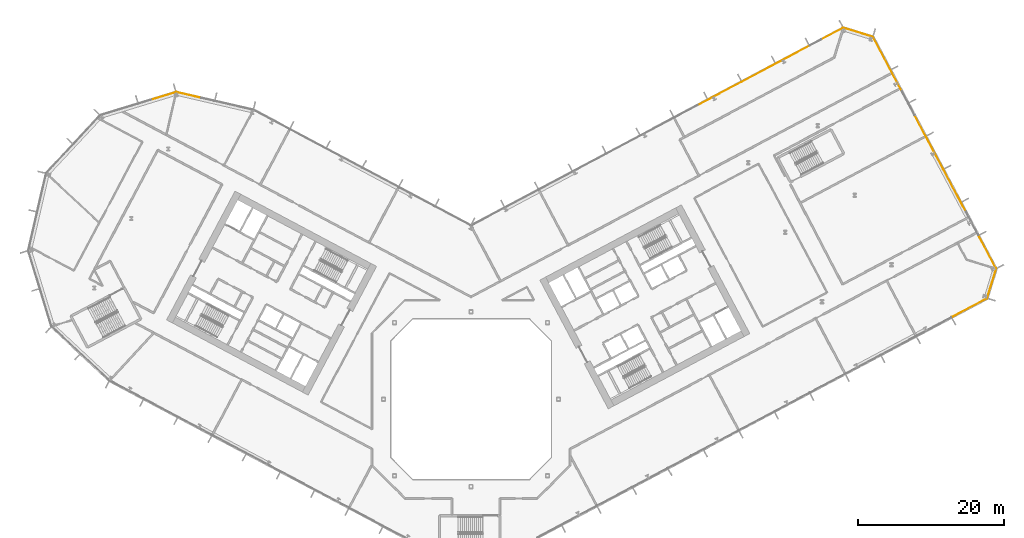
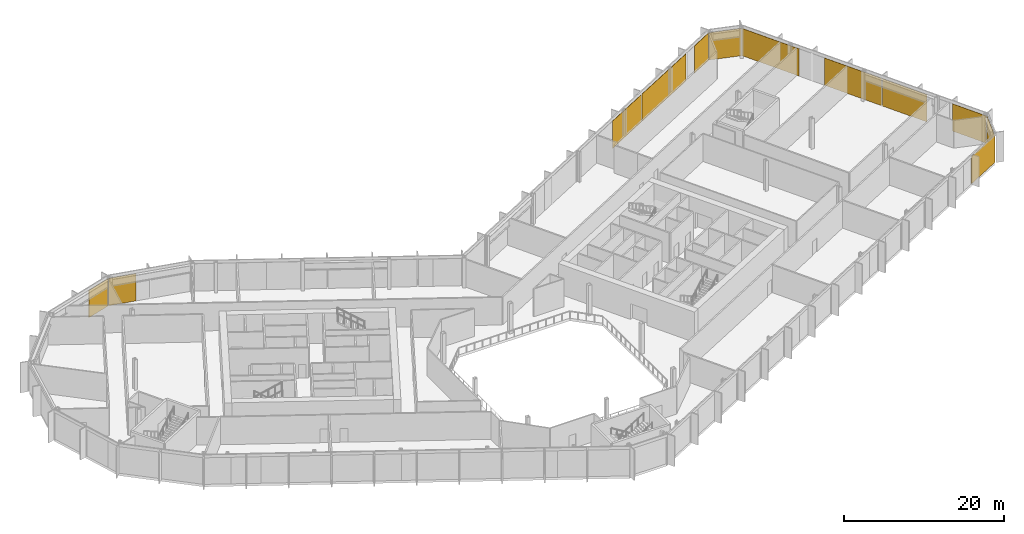
# One storey, part 32 of 32: 12 coverings, 7 elements without a shape of their own.
"""IFC4 building model written with IfcOpenShell, lengths in metres."""

from ifc_helpers import new_model, si_unit, direction, frame, origin, origin_2d, place, context, subcontext, project, spatial, rectangle, extrude, material, layer, layer_set, type_object, element, aggregate, save


model = new_model("IFC4")

# Units and contexts
model_context = context("Model", 3, precision=1e-05, world=origin(), true_north=direction((0.0, 1.0)))
body_context = subcontext(model_context, "Body", "Model", "MODEL_VIEW")
ifc_project = project(units=[si_unit("LENGTHUNIT", "METRE"), si_unit("AREAUNIT", "SQUARE_METRE"), si_unit("VOLUMEUNIT", "CUBIC_METRE"), si_unit("PLANEANGLEUNIT", "RADIAN"), si_unit("MASSUNIT", "GRAM", prefix="KILO")], contexts=[model_context])

# Site, building, storey
site_placement = place(None, origin())
site = spatial("IfcSite", under=ifc_project, at=site_placement, CompositionType="ELEMENT")
building_placement = place(site_placement, origin())
building = spatial("IfcBuilding", under=site, at=building_placement, Name="Cormorant Relay Tower", CompositionType="ELEMENT")
storey_placement = place(building_placement, frame((0.0, 0.0, 66.199951171875)))
storey = spatial("IfcBuildingStorey", under=building, at=storey_placement, Name="L12", CompositionType="ELEMENT", Elevation=66.199951171875)

# Curtain wall, covering
ifc_material_1 = material(Name="Aluminium 6063-T6 anodised bronze", Category="aluminium")
ifc_layer_1 = layer(ifc_material_1, 0.199951171875)
ifc_layer_set_1 = layer_set([ifc_layer_1], Name="CW1 unitised bronze curtain wall with vertical fins")
curtain_wall_type = type_object("IfcCurtainWallType", Name="CW1 unitised bronze curtain wall with vertical fins", PredefinedType="NOTDEFINED", material=ifc_layer_set_1)
curtain_wall_1_placement = place(storey_placement, origin())
curtain_wall_1 = element("IfcCurtainWall", 1, at=curtain_wall_1_placement, inside=storey, type_object=curtain_wall_type, Name="CW1 curtain wall 2", PredefinedType="NOTDEFINED")
ifc_material_2 = material(Name="Pale bronze anodised aluminium insulated panel", Category="aluminium")
ifc_layer_2 = layer(ifc_material_2, 0.0400390625)
ifc_layer_set_2 = layer_set([ifc_layer_2], Name="CW1 pale bronze insulated panel 40")
covering_type = type_object("IfcCoveringType", Name="CW1 pale bronze insulated panel 40", PredefinedType="CLADDING", material=ifc_layer_set_2)
covering_1_placement = place(storey_placement, frame((68.391357421875, 12.557861328125, 0.0), z_axis=(0.0, 0.0, 1.0), x_axis=(0.882947592859, 0.469471562786, 0.0)))
covering_1 = element("IfcCovering", 2, at=covering_1_placement, type_object=covering_type, Name="CW1 panel S13", PredefinedType="CLADDING", context=body_context, shape_type="SweptSolid", body=[
    extrude(rectangle(XDim=5.436767578125, YDim=0.0400390625, at=origin_2d()), origin(), (0.0, 0.0, 1.0), 4.14990234375),
])
aggregate(curtain_wall_1, [covering_1])

curtain_wall_2_placement = place(storey_placement, origin())
curtain_wall_2 = element("IfcCurtainWall", 3, at=curtain_wall_2_placement, inside=storey, type_object=curtain_wall_type, Name="CW1 curtain wall 3", PredefinedType="NOTDEFINED")
covering_2_placement = place(storey_placement, frame((71.4326171875, 15.910400390625, 0.0), z_axis=(0.0, 0.0, 1.0), x_axis=(0.292371704723, 0.956304755963, 0.0)))
covering_2 = element("IfcCovering", 4, at=covering_2_placement, type_object=covering_type, Name="CW1 panel S00", PredefinedType="CLADDING", context=body_context, shape_type="SweptSolid", body=[
    extrude(rectangle(XDim=4.16748046875, YDim=0.0400390625, at=origin_2d()), origin(), (0.0, 0.0, 1.0), 4.14990234375),
])
aggregate(curtain_wall_2, [covering_2])

# Curtain wall, coverings
curtain_wall_3_placement = place(storey_placement, origin())
curtain_wall_3 = element("IfcCurtainWall", 5, at=curtain_wall_3_placement, inside=storey, type_object=curtain_wall_type, Name="CW1 curtain wall 4", PredefinedType="NOTDEFINED")
covering_3_placement = place(storey_placement, frame((70.833251953125, 20.188720703125, 0.0), z_axis=(0.0, 0.0, 1.0), x_axis=(-0.469471562786, 0.882947592859, 0.0)))
covering_3 = element("IfcCovering", 6, at=covering_3_placement, type_object=covering_type, Name="CW1 panel S00", PredefinedType="CLADDING", context=body_context, shape_type="SweptSolid", body=[
    extrude(rectangle(XDim=4.992919921875, YDim=0.0400390625, at=origin_2d()), origin(), (0.0, 0.0, 1.0), 4.14990234375),
])
covering_4_placement = place(storey_placement, frame((66.366455078125, 28.58935546875, 0.0), z_axis=(0.0, 0.0, 1.0), x_axis=(-0.469471562786, 0.882947592859, 0.0)))
covering_4 = element("IfcCovering", 7, at=covering_4_placement, type_object=covering_type, Name="CW1 panel S02", PredefinedType="CLADDING", context=body_context, shape_type="SweptSolid", body=[
    extrude(rectangle(XDim=6.53564453125, YDim=0.0400390625, at=origin_2d()), origin(), (0.0, 0.0, 1.0), 4.14990234375),
])
covering_5_placement = place(storey_placement, frame((62.80517578125, 35.287109375, 0.0), z_axis=(0.0, 0.0, 1.0), x_axis=(-0.469471562786, 0.882947592859, 0.0)))
covering_5 = element("IfcCovering", 8, at=covering_5_placement, type_object=covering_type, Name="CW1 panel S03", PredefinedType="CLADDING", context=body_context, shape_type="SweptSolid", body=[
    extrude(rectangle(XDim=8.335693359375, YDim=0.0400390625, at=origin_2d()), origin(), (0.0, 0.0, 1.0), 4.14990234375),
])
covering_6_placement = place(storey_placement, frame((57.11376953125, 45.9912109375, 0.0), z_axis=(0.0, 0.0, 1.0), x_axis=(-0.469471562786, 0.882947592859, 0.0)))
covering_6 = element("IfcCovering", 9, at=covering_6_placement, type_object=covering_type, Name="CW1 panel S06", PredefinedType="CLADDING", context=body_context, shape_type="SweptSolid", body=[
    extrude(rectangle(XDim=8.41064453125, YDim=0.0400390625, at=origin_2d()), origin(), (0.0, 0.0, 1.0), 4.14990234375),
])
aggregate(curtain_wall_3, [covering_3, covering_4, covering_5, covering_6])

# Curtain wall, covering
curtain_wall_4_placement = place(storey_placement, origin())
curtain_wall_4 = element("IfcCurtainWall", 10, at=curtain_wall_4_placement, inside=storey, type_object=curtain_wall_type, Name="CW1 curtain wall 5", PredefinedType="NOTDEFINED")
covering_7_placement = place(storey_placement, frame((53.06298828125, 50.34521484375, 0.0), z_axis=(0.0, 0.0, 1.0), x_axis=(-0.956304755963, 0.292371704723, 0.0)))
covering_7 = element("IfcCovering", 11, at=covering_7_placement, type_object=covering_type, Name="CW1 panel S00", PredefinedType="CLADDING", context=body_context, shape_type="SweptSolid", body=[
    extrude(rectangle(XDim=4.16748046875, YDim=0.0400390625, at=origin_2d()), origin(), (0.0, 0.0, 1.0), 4.14990234375),
])
aggregate(curtain_wall_4, [covering_7])

# Curtain wall, coverings
curtain_wall_5_placement = place(storey_placement, origin())
curtain_wall_5 = element("IfcCurtainWall", 12, at=curtain_wall_5_placement, inside=storey, type_object=curtain_wall_type, Name="CW1 curtain wall 6", PredefinedType="NOTDEFINED")
covering_8_placement = place(storey_placement, frame((49.528564453125, 50.1416015625, 0.0), z_axis=(0.0, 0.0, 1.0), x_axis=(-0.882947592859, -0.469471562786, 0.0)))
covering_8 = element("IfcCovering", 13, at=covering_8_placement, type_object=covering_type, Name="CW1 panel S00", PredefinedType="CLADDING", context=body_context, shape_type="SweptSolid", body=[
    extrude(rectangle(XDim=3.3076171875, YDim=0.0400390625, at=origin_2d()), origin(), (0.0, 0.0, 1.0), 4.14990234375),
])
covering_9_placement = place(storey_placement, frame((41.7705078125, 46.0166015625, 0.0), z_axis=(0.0, 0.0, 1.0), x_axis=(-0.882947592859, -0.469471562786, 0.0)))
covering_9 = element("IfcCovering", 14, at=covering_9_placement, type_object=covering_type, Name="CW1 panel S02", PredefinedType="CLADDING", context=body_context, shape_type="SweptSolid", body=[
    extrude(rectangle(XDim=10.365234375, YDim=0.0400390625, at=origin_2d()), origin(), (0.0, 0.0, 1.0), 4.14990234375),
])
covering_10_placement = place(storey_placement, frame((34.075439453125, 41.9248046875, 0.0), z_axis=(0.0, 0.0, 1.0), x_axis=(-0.882947592859, -0.469471562786, 0.0)))
covering_10 = element("IfcCovering", 15, at=covering_10_placement, type_object=covering_type, Name="CW1 panel S03", PredefinedType="CLADDING", context=body_context, shape_type="SweptSolid", body=[
    extrude(rectangle(XDim=6.765380859375, YDim=0.0400390625, at=origin_2d()), origin(), (0.0, 0.0, 1.0), 4.14990234375),
])
aggregate(curtain_wall_5, [covering_8, covering_9, covering_10])

# Curtain wall, covering
curtain_wall_6_placement = place(storey_placement, origin())
curtain_wall_6 = element("IfcCurtainWall", 16, at=curtain_wall_6_placement, inside=storey, type_object=curtain_wall_type, Name="CW1 curtain wall 8", PredefinedType="NOTDEFINED")
covering_11_placement = place(storey_placement, frame((-38.7265625, 41.732421875, 0.0), z_axis=(0.0, 0.0, 1.0), x_axis=(-0.974370064785, 0.224951054344, 0.0)))
covering_11 = element("IfcCovering", 17, at=covering_11_placement, type_object=covering_type, Name="CW1 panel S02", PredefinedType="CLADDING", context=body_context, shape_type="SweptSolid", body=[
    extrude(rectangle(XDim=3.560302734375, YDim=0.0400390625, at=origin_2d()), origin(), (0.0, 0.0, 1.0), 4.14990234375),
])
aggregate(curtain_wall_6, [covering_11])

curtain_wall_7_placement = place(storey_placement, origin())
curtain_wall_7 = element("IfcCurtainWall", 18, at=curtain_wall_7_placement, inside=storey, type_object=curtain_wall_type, Name="CW1 curtain wall 9", PredefinedType="NOTDEFINED")
covering_12_placement = place(storey_placement, frame((-42.209716796875, 41.60107421875, 0.0), z_axis=(0.0, 0.0, 1.0), x_axis=(-0.956304755963, -0.292371704723, 0.0)))
covering_12 = element("IfcCovering", 19, at=covering_12_placement, type_object=covering_type, Name="CW1 panel S00", PredefinedType="CLADDING", context=body_context, shape_type="SweptSolid", body=[
    extrude(rectangle(XDim=3.485107421875, YDim=0.0400390625, at=origin_2d()), origin(), (0.0, 0.0, 1.0), 4.14990234375),
])
aggregate(curtain_wall_7, [covering_12])

save(model, "model.ifc")
